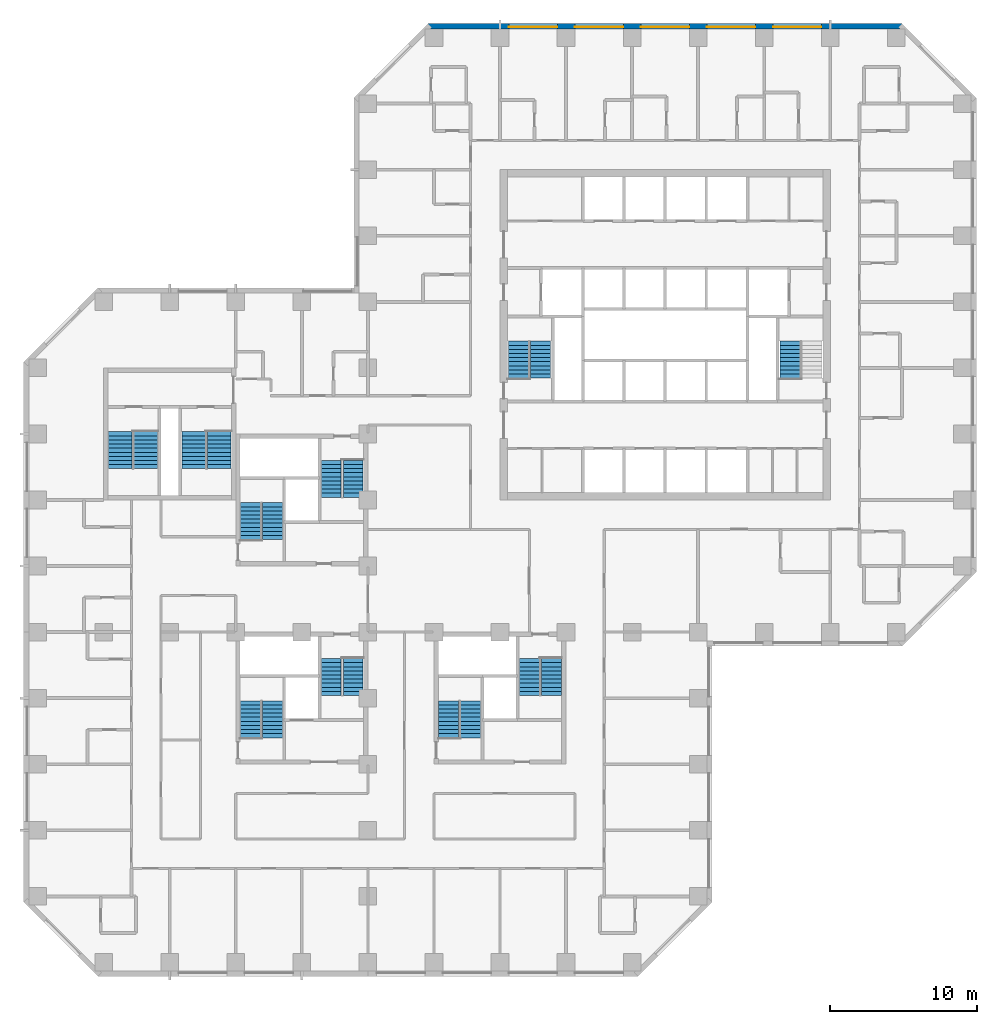
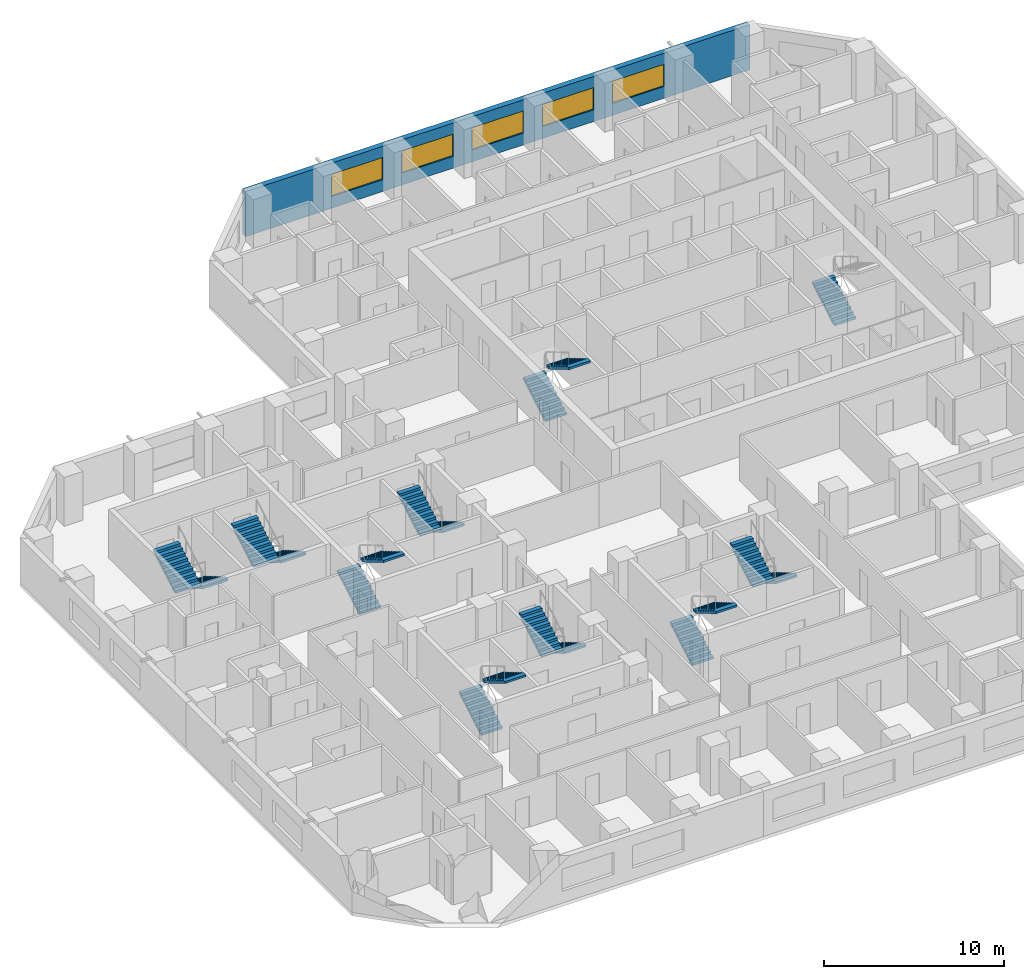
# One storey, part 11 of 13: 19 stair flights, 5 windows, 1 wall, 5 openings, 10 elements without a shape of their own.
"""IFC4 building model written with IfcOpenShell, lengths in metres."""

from ifc_helpers import new_model, si_unit, direction, frame, frame_2d, origin, place, context, subcontext, project, spatial, polyline, rectangle, outline, extrude, material, layer, layer_set, constituent, constituent_set, type_object, element, fill, aggregate, save


model = new_model("IFC4")

# Units and contexts
model_context = context("Model", 3, precision=1e-05, world=origin(), true_north=direction((0.0, 1.0)))
body_context = subcontext(model_context, "Body", "Model", "MODEL_VIEW")
ifc_project = project(units=[si_unit("LENGTHUNIT", "METRE"), si_unit("AREAUNIT", "SQUARE_METRE"), si_unit("VOLUMEUNIT", "CUBIC_METRE"), si_unit("PLANEANGLEUNIT", "RADIAN"), si_unit("MASSUNIT", "GRAM", prefix="KILO")], contexts=[model_context])

# Site, building, storey
site_placement = place(None, origin())
site = spatial("IfcSite", under=ifc_project, at=site_placement, CompositionType="ELEMENT")
building_placement = place(site_placement, origin())
building = spatial("IfcBuilding", under=site, at=building_placement, Name="Quoin Convention Tower", CompositionType="ELEMENT")
storey_placement = place(building_placement, frame((0.0, 0.0, 23.10009765625)))
storey = spatial("IfcBuildingStorey", under=building, at=storey_placement, Name="L04", CompositionType="ELEMENT", Elevation=23.10009765625)

# Wall, openings, windows
ifc_material_1 = material(Name="Brick masonry", Category="masonry")
ifc_layer = layer(ifc_material_1, 0.35009765625)
ifc_layer_set = layer_set([ifc_layer], Name="Brick masonry")
wall_type = type_object("IfcWallType", Name="Brick facade wall", PredefinedType="STANDARD", material=ifc_layer_set)
wall_placement = place(storey_placement, frame((72.3935546875, 81.77490234375, 0.0), z_axis=(0.0, 0.0, 1.0), x_axis=(-1.0, 0.0, 0.0)))
wall = element("IfcWall", 1, at=wall_placement, inside=storey, type_object=wall_type, Name="fw-L04-72000_81000", PredefinedType="STANDARD", context=body_context, shape_type="SweptSolid", body=[
    extrude(rectangle(XDim=32.287109375, YDim=0.35009765625, at=frame_2d((16.1435546875, 0.0))), origin(), (0.0, 0.0, 1.0), 3.054931640625),
])
opening_1_placement = place(wall_placement, frame((5.493408203125, 0.0, 0.800048828125)))
opening_1 = element("IfcOpeningElement", 2, at=opening_1_placement, cuts=wall, Name="Opening W-01", PredefinedType="OPENING", context=body_context, shape_type="SweptSolid", body=[
    extrude(rectangle(XDim=3.300048828125, YDim=1.5, at=frame_2d((1.64990234375, 0.75))), frame((0.0, 0.18505859375, 0.0), z_axis=(0.0, -1.0, 0.0), x_axis=(1.0, 0.0, 0.0)), (0.0, 0.0, 1.0), 0.3701171875),
])
opening_2_placement = place(wall_placement, frame((9.993408203125, 0.0, 0.800048828125)))
opening_2 = element("IfcOpeningElement", 3, at=opening_2_placement, cuts=wall, Name="Opening W-01", PredefinedType="OPENING", context=body_context, shape_type="SweptSolid", body=[
    extrude(rectangle(XDim=3.300048828125, YDim=1.5, at=frame_2d((1.64990234375, 0.75))), frame((0.0, 0.18505859375, 0.0), z_axis=(0.0, -1.0, 0.0), x_axis=(1.0, 0.0, 0.0)), (0.0, 0.0, 1.0), 0.3701171875),
])
opening_3_placement = place(wall_placement, frame((14.493408203125, 0.0, 0.800048828125)))
opening_3 = element("IfcOpeningElement", 4, at=opening_3_placement, cuts=wall, Name="Opening W-01", PredefinedType="OPENING", context=body_context, shape_type="SweptSolid", body=[
    extrude(rectangle(XDim=3.300048828125, YDim=1.5, at=frame_2d((1.64990234375, 0.75))), frame((0.0, 0.18505859375, 0.0), z_axis=(0.0, -1.0, 0.0), x_axis=(1.0, 0.0, 0.0)), (0.0, 0.0, 1.0), 0.3701171875),
])
opening_4_placement = place(wall_placement, frame((18.993408203125, 0.0, 0.800048828125)))
opening_4 = element("IfcOpeningElement", 5, at=opening_4_placement, cuts=wall, Name="Opening W-01", PredefinedType="OPENING", context=body_context, shape_type="SweptSolid", body=[
    extrude(rectangle(XDim=3.300048828125, YDim=1.5, at=frame_2d((1.64990234375, 0.75))), frame((0.0, 0.18505859375, 0.0), z_axis=(0.0, -1.0, 0.0), x_axis=(1.0, 0.0, 0.0)), (0.0, 0.0, 1.0), 0.3701171875),
])
opening_5_placement = place(wall_placement, frame((23.493408203125, 0.0, 0.800048828125)))
opening_5 = element("IfcOpeningElement", 6, at=opening_5_placement, cuts=wall, Name="Opening W-01", PredefinedType="OPENING", context=body_context, shape_type="SweptSolid", body=[
    extrude(rectangle(XDim=3.300048828125, YDim=1.5, at=frame_2d((1.64990234375, 0.75))), frame((0.0, 0.18505859375, 0.0), z_axis=(0.0, -1.0, 0.0), x_axis=(1.0, 0.0, 0.0)), (0.0, 0.0, 1.0), 0.3701171875),
])
ifc_material_2 = material(Name="Aluminium", Category="aluminium")
ifc_constituent_1 = constituent(ifc_material_2, Name="Frame")
ifc_material_3 = material(Name="Insulated glass", Category="glass")
ifc_constituent_2 = constituent(ifc_material_3, Name="Glazing")
ifc_constituent_set = constituent_set(constituents=[ifc_constituent_1, ifc_constituent_2], Name="Aluminium")
window_type = type_object("IfcWindowType", Name="Hotel strip window", PartitioningType="DOUBLE_PANEL_VERTICAL", PredefinedType="WINDOW", material=ifc_constituent_set)
window_1_placement = place(opening_1_placement, origin())
window_1 = element("IfcWindow", 7, at=window_1_placement, inside=storey, type_object=window_type, Name="win-L04-65250_81775", OverallHeight=1.5, OverallWidth=3.300048828125, PartitioningType="SINGLE_PANEL", PredefinedType="WINDOW", context=body_context, shape_type="SweptSolid", body=[
    extrude(rectangle(XDim=3.300048828125, YDim=1.5, at=frame_2d((1.64990234375, 0.75))), frame((0.0, 0.0849609375, 0.0), z_axis=(0.0, -1.0, 0.0), x_axis=(1.0, 0.0, 0.0)), (0.0, 0.0, 1.0), 0.06005859375),
])
fill(opening_1, window_1)
window_2_placement = place(opening_2_placement, origin())
window_2 = element("IfcWindow", 8, at=window_2_placement, inside=storey, type_object=window_type, Name="win-L04-60750_81775", OverallHeight=1.5, OverallWidth=3.300048828125, PartitioningType="SINGLE_PANEL", PredefinedType="WINDOW", context=body_context, shape_type="SweptSolid", body=[
    extrude(rectangle(XDim=3.300048828125, YDim=1.5, at=frame_2d((1.64990234375, 0.75))), frame((0.0, 0.0849609375, 0.0), z_axis=(0.0, -1.0, 0.0), x_axis=(1.0, 0.0, 0.0)), (0.0, 0.0, 1.0), 0.06005859375),
])
fill(opening_2, window_2)
window_3_placement = place(opening_3_placement, origin())
window_3 = element("IfcWindow", 9, at=window_3_placement, inside=storey, type_object=window_type, Name="win-L04-56250_81775", OverallHeight=1.5, OverallWidth=3.300048828125, PartitioningType="SINGLE_PANEL", PredefinedType="WINDOW", context=body_context, shape_type="SweptSolid", body=[
    extrude(rectangle(XDim=3.300048828125, YDim=1.5, at=frame_2d((1.64990234375, 0.75))), frame((0.0, 0.0849609375, 0.0), z_axis=(0.0, -1.0, 0.0), x_axis=(1.0, 0.0, 0.0)), (0.0, 0.0, 1.0), 0.06005859375),
])
fill(opening_3, window_3)
window_4_placement = place(opening_4_placement, origin())
window_4 = element("IfcWindow", 10, at=window_4_placement, inside=storey, type_object=window_type, Name="win-L04-51750_81775", OverallHeight=1.5, OverallWidth=3.300048828125, PartitioningType="SINGLE_PANEL", PredefinedType="WINDOW", context=body_context, shape_type="SweptSolid", body=[
    extrude(rectangle(XDim=3.300048828125, YDim=1.5, at=frame_2d((1.64990234375, 0.75))), frame((0.0, 0.0849609375, 0.0), z_axis=(0.0, -1.0, 0.0), x_axis=(1.0, 0.0, 0.0)), (0.0, 0.0, 1.0), 0.06005859375),
])
fill(opening_4, window_4)
window_5_placement = place(opening_5_placement, origin())
window_5 = element("IfcWindow", 11, at=window_5_placement, inside=storey, type_object=window_type, Name="win-L04-47250_81775", OverallHeight=1.5, OverallWidth=3.300048828125, PartitioningType="SINGLE_PANEL", PredefinedType="WINDOW", context=body_context, shape_type="SweptSolid", body=[
    extrude(rectangle(XDim=3.300048828125, YDim=1.5, at=frame_2d((1.64990234375, 0.75))), frame((0.0, 0.0849609375, 0.0), z_axis=(0.0, -1.0, 0.0), x_axis=(1.0, 0.0, 0.0)), (0.0, 0.0, 1.0), 0.06005859375),
])
fill(opening_5, window_5)

# Stair, stair flights
ifc_material_4 = material(Name="Concrete C40", Category="concrete")
stair_type_1 = type_object("IfcStairType", Name="Exit stair two-flight 1350", PredefinedType="HALF_TURN_STAIR", material=ifc_material_4)
stair_1_placement = place(storey_placement, origin())
stair_1 = element("IfcStair", 12, at=stair_1_placement, inside=storey, type_object=stair_type_1, Name="SD1 L04", PredefinedType="HALF_TURN_STAIR")
stair_flight_type_1 = type_object("IfcStairFlightType", Name="Stair flight 1350", PredefinedType="STRAIGHT", material=ifc_material_4)
stair_flight_1_placement = place(storey_placement, frame((46.25, 57.800048828125, 0.0), z_axis=(0.0, 0.0, 1.0), x_axis=(0.0, 1.0, 0.0)))
stair_flight_1 = element("IfcStairFlight", 13, at=stair_flight_1_placement, type_object=stair_flight_type_1, Name="ST1 flight 1", NumberOfRisers=10, NumberOfTreads=9, PredefinedType="STRAIGHT", RiserHeight=0.165, TreadLength=0.28, context=body_context, shape_type="SweptSolid", body=[
    extrude(outline(polyline([(0.0, 0.0), (0.0, 0.1650390625), (0.280029296875, 0.1650390625), (0.280029296875, 0.330078125), (0.56005859375, 0.330078125), (0.56005859375, 0.4951171875), (0.840087890625, 0.4951171875), (0.840087890625, 0.659912109375), (1.1201171875, 0.659912109375), (1.1201171875, 0.824951171875), (1.39990234375, 0.824951171875), (1.39990234375, 0.989990234375), (1.679931640625, 0.989990234375), (1.679931640625, 1.155029296875), (1.9599609375, 1.155029296875), (1.9599609375, 1.320068359375), (2.239990234375, 1.320068359375), (2.239990234375, 1.485107421875), (2.52001953125, 1.485107421875), (2.52001953125, 1.64990234375), (2.52001953125, 1.345458984375), (0.236572265625, 0.0), (0.0, 0.0)])), frame((0.0, 0.675048828125, 0.0), z_axis=(0.0, -1.0, 0.0), x_axis=(1.0, 0.0, 0.0)), (0.0, 0.0, 1.0), 1.35009765625),
])
stair_flight_2_placement = place(storey_placement, frame((47.75, 60.320068359375, 1.64990234375), z_axis=(0.0, 0.0, 1.0), x_axis=(0.0, -1.0, 0.0)))
stair_flight_2 = element("IfcStairFlight", 14, at=stair_flight_2_placement, type_object=stair_flight_type_1, Name="ST1 flight 2", NumberOfRisers=10, NumberOfTreads=9, PredefinedType="STRAIGHT", RiserHeight=0.165, TreadLength=0.28, context=body_context, shape_type="SweptSolid", body=[
    extrude(outline(polyline([(0.0, 0.0), (0.0, 0.1650390625), (0.280029296875, 0.1650390625), (0.280029296875, 0.330078125), (0.56005859375, 0.330078125), (0.56005859375, 0.4951171875), (0.840087890625, 0.4951171875), (0.840087890625, 0.659912109375), (1.1201171875, 0.659912109375), (1.1201171875, 0.824951171875), (1.39990234375, 0.824951171875), (1.39990234375, 0.989990234375), (1.679931640625, 0.989990234375), (1.679931640625, 1.155029296875), (1.9599609375, 1.155029296875), (1.9599609375, 1.320068359375), (2.239990234375, 1.320068359375), (2.239990234375, 1.485107421875), (2.52001953125, 1.485107421875), (2.52001953125, 1.64990234375), (2.52001953125, 1.345458984375), (0.236572265625, 0.0), (0.0, 0.0)])), frame((0.0, 0.675048828125, 0.0), z_axis=(0.0, -1.0, 0.0), x_axis=(1.0, 0.0, 0.0)), (0.0, 0.0, 1.0), 1.35009765625),
])
aggregate(stair_1, [stair_flight_1, stair_flight_2])

# Stair, stair flight
stair_2_placement = place(storey_placement, origin())
stair_2 = element("IfcStair", 15, at=stair_2_placement, inside=storey, type_object=stair_type_1, Name="SD2 L04", PredefinedType="HALF_TURN_STAIR")
stair_flight_3_placement = place(storey_placement, frame((64.75, 57.800048828125, 0.0), z_axis=(0.0, 0.0, 1.0), x_axis=(0.0, 1.0, 0.0)))
stair_flight_3 = element("IfcStairFlight", 16, at=stair_flight_3_placement, type_object=stair_flight_type_1, Name="ST2 flight 1", NumberOfRisers=10, NumberOfTreads=9, PredefinedType="STRAIGHT", RiserHeight=0.165, TreadLength=0.28, context=body_context, shape_type="SweptSolid", body=[
    extrude(outline(polyline([(0.0, 0.0), (0.0, 0.1650390625), (0.280029296875, 0.1650390625), (0.280029296875, 0.330078125), (0.56005859375, 0.330078125), (0.56005859375, 0.4951171875), (0.840087890625, 0.4951171875), (0.840087890625, 0.659912109375), (1.1201171875, 0.659912109375), (1.1201171875, 0.824951171875), (1.39990234375, 0.824951171875), (1.39990234375, 0.989990234375), (1.679931640625, 0.989990234375), (1.679931640625, 1.155029296875), (1.9599609375, 1.155029296875), (1.9599609375, 1.320068359375), (2.239990234375, 1.320068359375), (2.239990234375, 1.485107421875), (2.52001953125, 1.485107421875), (2.52001953125, 1.64990234375), (2.52001953125, 1.345458984375), (0.236572265625, 0.0), (0.0, 0.0)])), frame((0.0, 0.675048828125, 0.0), z_axis=(0.0, -1.0, 0.0), x_axis=(1.0, 0.0, 0.0)), (0.0, 0.0, 1.0), 1.35009765625),
])
aggregate(stair_2, [stair_flight_3])

# Stair, stair flights
stair_3_placement = place(storey_placement, origin())
stair_3 = element("IfcStair", 17, at=stair_3_placement, inside=storey, type_object=stair_type_1, Name="SD3 L04", PredefinedType="HALF_TURN_STAIR")
stair_flight_4_placement = place(storey_placement, frame((28.0, 46.800048828125, 0.0), z_axis=(0.0, 0.0, 1.0), x_axis=(0.0, 1.0, 0.0)))
stair_flight_4 = element("IfcStairFlight", 18, at=stair_flight_4_placement, type_object=stair_flight_type_1, Name="ST3 flight 1", NumberOfRisers=10, NumberOfTreads=9, PredefinedType="STRAIGHT", RiserHeight=0.165, TreadLength=0.28, context=body_context, shape_type="SweptSolid", body=[
    extrude(outline(polyline([(0.0, 0.0), (0.0, 0.1650390625), (0.280029296875, 0.1650390625), (0.280029296875, 0.330078125), (0.56005859375, 0.330078125), (0.56005859375, 0.4951171875), (0.840087890625, 0.4951171875), (0.840087890625, 0.659912109375), (1.1201171875, 0.659912109375), (1.1201171875, 0.824951171875), (1.39990234375, 0.824951171875), (1.39990234375, 0.989990234375), (1.679931640625, 0.989990234375), (1.679931640625, 1.155029296875), (1.9599609375, 1.155029296875), (1.9599609375, 1.320068359375), (2.239990234375, 1.320068359375), (2.239990234375, 1.485107421875), (2.52001953125, 1.485107421875), (2.52001953125, 1.64990234375), (2.52001953125, 1.345458984375), (0.236572265625, 0.0), (0.0, 0.0)])), frame((0.0, 0.675048828125, 0.0), z_axis=(0.0, -1.0, 0.0), x_axis=(1.0, 0.0, 0.0)), (0.0, 0.0, 1.0), 1.35009765625),
])
stair_flight_5_placement = place(storey_placement, frame((29.5, 49.320068359375, 1.64990234375), z_axis=(0.0, 0.0, 1.0), x_axis=(0.0, -1.0, 0.0)))
stair_flight_5 = element("IfcStairFlight", 19, at=stair_flight_5_placement, type_object=stair_flight_type_1, Name="ST3 flight 2", NumberOfRisers=10, NumberOfTreads=9, PredefinedType="STRAIGHT", RiserHeight=0.165, TreadLength=0.28, context=body_context, shape_type="SweptSolid", body=[
    extrude(outline(polyline([(0.0, 0.0), (0.0, 0.1650390625), (0.280029296875, 0.1650390625), (0.280029296875, 0.330078125), (0.56005859375, 0.330078125), (0.56005859375, 0.4951171875), (0.840087890625, 0.4951171875), (0.840087890625, 0.659912109375), (1.1201171875, 0.659912109375), (1.1201171875, 0.824951171875), (1.39990234375, 0.824951171875), (1.39990234375, 0.989990234375), (1.679931640625, 0.989990234375), (1.679931640625, 1.155029296875), (1.9599609375, 1.155029296875), (1.9599609375, 1.320068359375), (2.239990234375, 1.320068359375), (2.239990234375, 1.485107421875), (2.52001953125, 1.485107421875), (2.52001953125, 1.64990234375), (2.52001953125, 1.345458984375), (0.236572265625, 0.0), (0.0, 0.0)])), frame((0.0, 0.675048828125, 0.0), z_axis=(0.0, -1.0, 0.0), x_axis=(1.0, 0.0, 0.0)), (0.0, 0.0, 1.0), 1.35009765625),
])
aggregate(stair_3, [stair_flight_4, stair_flight_5])

stair_4_placement = place(storey_placement, origin())
stair_4 = element("IfcStair", 20, at=stair_4_placement, inside=storey, type_object=stair_type_1, Name="SD4 L04", PredefinedType="HALF_TURN_STAIR")
stair_flight_6_placement = place(storey_placement, frame((35.0, 52.199951171875, 0.0), z_axis=(0.0, 0.0, 1.0), x_axis=(0.0, -1.0, 0.0)))
stair_flight_6 = element("IfcStairFlight", 21, at=stair_flight_6_placement, type_object=stair_flight_type_1, Name="ST4 flight 1", NumberOfRisers=10, NumberOfTreads=9, PredefinedType="STRAIGHT", RiserHeight=0.165, TreadLength=0.28, context=body_context, shape_type="SweptSolid", body=[
    extrude(outline(polyline([(0.0, 0.0), (0.0, 0.1650390625), (0.280029296875, 0.1650390625), (0.280029296875, 0.330078125), (0.56005859375, 0.330078125), (0.56005859375, 0.4951171875), (0.840087890625, 0.4951171875), (0.840087890625, 0.659912109375), (1.1201171875, 0.659912109375), (1.1201171875, 0.824951171875), (1.39990234375, 0.824951171875), (1.39990234375, 0.989990234375), (1.679931640625, 0.989990234375), (1.679931640625, 1.155029296875), (1.9599609375, 1.155029296875), (1.9599609375, 1.320068359375), (2.239990234375, 1.320068359375), (2.239990234375, 1.485107421875), (2.52001953125, 1.485107421875), (2.52001953125, 1.64990234375), (2.52001953125, 1.345458984375), (0.236572265625, 0.0), (0.0, 0.0)])), frame((0.0, 0.675048828125, 0.0), z_axis=(0.0, -1.0, 0.0), x_axis=(1.0, 0.0, 0.0)), (0.0, 0.0, 1.0), 1.35009765625),
])
stair_flight_7_placement = place(storey_placement, frame((33.5, 49.679931640625, 1.64990234375), z_axis=(0.0, 0.0, 1.0), x_axis=(0.0, 1.0, 0.0)))
stair_flight_7 = element("IfcStairFlight", 22, at=stair_flight_7_placement, type_object=stair_flight_type_1, Name="ST4 flight 2", NumberOfRisers=10, NumberOfTreads=9, PredefinedType="STRAIGHT", RiserHeight=0.165, TreadLength=0.28, context=body_context, shape_type="SweptSolid", body=[
    extrude(outline(polyline([(0.0, 0.0), (0.0, 0.1650390625), (0.280029296875, 0.1650390625), (0.280029296875, 0.330078125), (0.56005859375, 0.330078125), (0.56005859375, 0.4951171875), (0.840087890625, 0.4951171875), (0.840087890625, 0.659912109375), (1.1201171875, 0.659912109375), (1.1201171875, 0.824951171875), (1.39990234375, 0.824951171875), (1.39990234375, 0.989990234375), (1.679931640625, 0.989990234375), (1.679931640625, 1.155029296875), (1.9599609375, 1.155029296875), (1.9599609375, 1.320068359375), (2.239990234375, 1.320068359375), (2.239990234375, 1.485107421875), (2.52001953125, 1.485107421875), (2.52001953125, 1.64990234375), (2.52001953125, 1.345458984375), (0.236572265625, 0.0), (0.0, 0.0)])), frame((0.0, 0.675048828125, 0.0), z_axis=(0.0, -1.0, 0.0), x_axis=(1.0, 0.0, 0.0)), (0.0, 0.0, 1.0), 1.35009765625),
])
aggregate(stair_4, [stair_flight_6, stair_flight_7])

stair_5_placement = place(storey_placement, origin())
stair_5 = element("IfcStair", 23, at=stair_5_placement, inside=storey, type_object=stair_type_1, Name="SD5 L04", PredefinedType="HALF_TURN_STAIR")
stair_flight_8_placement = place(storey_placement, frame((41.5, 33.300048828125, 0.0), z_axis=(0.0, 0.0, 1.0), x_axis=(0.0, 1.0, 0.0)))
stair_flight_8 = element("IfcStairFlight", 24, at=stair_flight_8_placement, type_object=stair_flight_type_1, Name="ST5 flight 1", NumberOfRisers=10, NumberOfTreads=9, PredefinedType="STRAIGHT", RiserHeight=0.165, TreadLength=0.28, context=body_context, shape_type="SweptSolid", body=[
    extrude(outline(polyline([(0.0, 0.0), (0.0, 0.1650390625), (0.280029296875, 0.1650390625), (0.280029296875, 0.330078125), (0.56005859375, 0.330078125), (0.56005859375, 0.4951171875), (0.840087890625, 0.4951171875), (0.840087890625, 0.659912109375), (1.1201171875, 0.659912109375), (1.1201171875, 0.824951171875), (1.39990234375, 0.824951171875), (1.39990234375, 0.989990234375), (1.679931640625, 0.989990234375), (1.679931640625, 1.155029296875), (1.9599609375, 1.155029296875), (1.9599609375, 1.320068359375), (2.239990234375, 1.320068359375), (2.239990234375, 1.485107421875), (2.52001953125, 1.485107421875), (2.52001953125, 1.64990234375), (2.52001953125, 1.345458984375), (0.236572265625, 0.0), (0.0, 0.0)])), frame((0.0, 0.675048828125, 0.0), z_axis=(0.0, -1.0, 0.0), x_axis=(1.0, 0.0, 0.0)), (0.0, 0.0, 1.0), 1.35009765625),
])
stair_flight_9_placement = place(storey_placement, frame((43.0, 35.820068359375, 1.64990234375), z_axis=(0.0, 0.0, 1.0), x_axis=(0.0, -1.0, 0.0)))
stair_flight_9 = element("IfcStairFlight", 25, at=stair_flight_9_placement, type_object=stair_flight_type_1, Name="ST5 flight 2", NumberOfRisers=10, NumberOfTreads=9, PredefinedType="STRAIGHT", RiserHeight=0.165, TreadLength=0.28, context=body_context, shape_type="SweptSolid", body=[
    extrude(outline(polyline([(0.0, 0.0), (0.0, 0.1650390625), (0.280029296875, 0.1650390625), (0.280029296875, 0.330078125), (0.56005859375, 0.330078125), (0.56005859375, 0.4951171875), (0.840087890625, 0.4951171875), (0.840087890625, 0.659912109375), (1.1201171875, 0.659912109375), (1.1201171875, 0.824951171875), (1.39990234375, 0.824951171875), (1.39990234375, 0.989990234375), (1.679931640625, 0.989990234375), (1.679931640625, 1.155029296875), (1.9599609375, 1.155029296875), (1.9599609375, 1.320068359375), (2.239990234375, 1.320068359375), (2.239990234375, 1.485107421875), (2.52001953125, 1.485107421875), (2.52001953125, 1.64990234375), (2.52001953125, 1.345458984375), (0.236572265625, 0.0), (0.0, 0.0)])), frame((0.0, 0.675048828125, 0.0), z_axis=(0.0, -1.0, 0.0), x_axis=(1.0, 0.0, 0.0)), (0.0, 0.0, 1.0), 1.35009765625),
])
aggregate(stair_5, [stair_flight_8, stair_flight_9])

stair_6_placement = place(storey_placement, origin())
stair_6 = element("IfcStair", 26, at=stair_6_placement, inside=storey, type_object=stair_type_1, Name="SD6 L04", PredefinedType="HALF_TURN_STAIR")
stair_flight_10_placement = place(storey_placement, frame((48.5, 38.699951171875, 0.0), z_axis=(0.0, 0.0, 1.0), x_axis=(0.0, -1.0, 0.0)))
stair_flight_10 = element("IfcStairFlight", 27, at=stair_flight_10_placement, type_object=stair_flight_type_1, Name="ST6 flight 1", NumberOfRisers=10, NumberOfTreads=9, PredefinedType="STRAIGHT", RiserHeight=0.165, TreadLength=0.28, context=body_context, shape_type="SweptSolid", body=[
    extrude(outline(polyline([(0.0, 0.0), (0.0, 0.1650390625), (0.280029296875, 0.1650390625), (0.280029296875, 0.330078125), (0.56005859375, 0.330078125), (0.56005859375, 0.4951171875), (0.840087890625, 0.4951171875), (0.840087890625, 0.659912109375), (1.1201171875, 0.659912109375), (1.1201171875, 0.824951171875), (1.39990234375, 0.824951171875), (1.39990234375, 0.989990234375), (1.679931640625, 0.989990234375), (1.679931640625, 1.155029296875), (1.9599609375, 1.155029296875), (1.9599609375, 1.320068359375), (2.239990234375, 1.320068359375), (2.239990234375, 1.485107421875), (2.52001953125, 1.485107421875), (2.52001953125, 1.64990234375), (2.52001953125, 1.345458984375), (0.236572265625, 0.0), (0.0, 0.0)])), frame((0.0, 0.675048828125, 0.0), z_axis=(0.0, -1.0, 0.0), x_axis=(1.0, 0.0, 0.0)), (0.0, 0.0, 1.0), 1.35009765625),
])
stair_flight_11_placement = place(storey_placement, frame((47.0, 36.179931640625, 1.64990234375), z_axis=(0.0, 0.0, 1.0), x_axis=(0.0, 1.0, 0.0)))
stair_flight_11 = element("IfcStairFlight", 28, at=stair_flight_11_placement, type_object=stair_flight_type_1, Name="ST6 flight 2", NumberOfRisers=10, NumberOfTreads=9, PredefinedType="STRAIGHT", RiserHeight=0.165, TreadLength=0.28, context=body_context, shape_type="SweptSolid", body=[
    extrude(outline(polyline([(0.0, 0.0), (0.0, 0.1650390625), (0.280029296875, 0.1650390625), (0.280029296875, 0.330078125), (0.56005859375, 0.330078125), (0.56005859375, 0.4951171875), (0.840087890625, 0.4951171875), (0.840087890625, 0.659912109375), (1.1201171875, 0.659912109375), (1.1201171875, 0.824951171875), (1.39990234375, 0.824951171875), (1.39990234375, 0.989990234375), (1.679931640625, 0.989990234375), (1.679931640625, 1.155029296875), (1.9599609375, 1.155029296875), (1.9599609375, 1.320068359375), (2.239990234375, 1.320068359375), (2.239990234375, 1.485107421875), (2.52001953125, 1.485107421875), (2.52001953125, 1.64990234375), (2.52001953125, 1.345458984375), (0.236572265625, 0.0), (0.0, 0.0)])), frame((0.0, 0.675048828125, 0.0), z_axis=(0.0, -1.0, 0.0), x_axis=(1.0, 0.0, 0.0)), (0.0, 0.0, 1.0), 1.35009765625),
])
aggregate(stair_6, [stair_flight_10, stair_flight_11])

stair_7_placement = place(storey_placement, origin())
stair_7 = element("IfcStair", 29, at=stair_7_placement, inside=storey, type_object=stair_type_1, Name="SD7 L04", PredefinedType="HALF_TURN_STAIR")
stair_flight_12_placement = place(storey_placement, frame((28.0, 33.300048828125, 0.0), z_axis=(0.0, 0.0, 1.0), x_axis=(0.0, 1.0, 0.0)))
stair_flight_12 = element("IfcStairFlight", 30, at=stair_flight_12_placement, type_object=stair_flight_type_1, Name="ST7 flight 1", NumberOfRisers=10, NumberOfTreads=9, PredefinedType="STRAIGHT", RiserHeight=0.165, TreadLength=0.28, context=body_context, shape_type="SweptSolid", body=[
    extrude(outline(polyline([(0.0, 0.0), (0.0, 0.1650390625), (0.280029296875, 0.1650390625), (0.280029296875, 0.330078125), (0.56005859375, 0.330078125), (0.56005859375, 0.4951171875), (0.840087890625, 0.4951171875), (0.840087890625, 0.659912109375), (1.1201171875, 0.659912109375), (1.1201171875, 0.824951171875), (1.39990234375, 0.824951171875), (1.39990234375, 0.989990234375), (1.679931640625, 0.989990234375), (1.679931640625, 1.155029296875), (1.9599609375, 1.155029296875), (1.9599609375, 1.320068359375), (2.239990234375, 1.320068359375), (2.239990234375, 1.485107421875), (2.52001953125, 1.485107421875), (2.52001953125, 1.64990234375), (2.52001953125, 1.345458984375), (0.236572265625, 0.0), (0.0, 0.0)])), frame((0.0, 0.675048828125, 0.0), z_axis=(0.0, -1.0, 0.0), x_axis=(1.0, 0.0, 0.0)), (0.0, 0.0, 1.0), 1.35009765625),
])
stair_flight_13_placement = place(storey_placement, frame((29.5, 35.820068359375, 1.64990234375), z_axis=(0.0, 0.0, 1.0), x_axis=(0.0, -1.0, 0.0)))
stair_flight_13 = element("IfcStairFlight", 31, at=stair_flight_13_placement, type_object=stair_flight_type_1, Name="ST7 flight 2", NumberOfRisers=10, NumberOfTreads=9, PredefinedType="STRAIGHT", RiserHeight=0.165, TreadLength=0.28, context=body_context, shape_type="SweptSolid", body=[
    extrude(outline(polyline([(0.0, 0.0), (0.0, 0.1650390625), (0.280029296875, 0.1650390625), (0.280029296875, 0.330078125), (0.56005859375, 0.330078125), (0.56005859375, 0.4951171875), (0.840087890625, 0.4951171875), (0.840087890625, 0.659912109375), (1.1201171875, 0.659912109375), (1.1201171875, 0.824951171875), (1.39990234375, 0.824951171875), (1.39990234375, 0.989990234375), (1.679931640625, 0.989990234375), (1.679931640625, 1.155029296875), (1.9599609375, 1.155029296875), (1.9599609375, 1.320068359375), (2.239990234375, 1.320068359375), (2.239990234375, 1.485107421875), (2.52001953125, 1.485107421875), (2.52001953125, 1.64990234375), (2.52001953125, 1.345458984375), (0.236572265625, 0.0), (0.0, 0.0)])), frame((0.0, 0.675048828125, 0.0), z_axis=(0.0, -1.0, 0.0), x_axis=(1.0, 0.0, 0.0)), (0.0, 0.0, 1.0), 1.35009765625),
])
aggregate(stair_7, [stair_flight_12, stair_flight_13])

stair_8_placement = place(storey_placement, origin())
stair_8 = element("IfcStair", 32, at=stair_8_placement, inside=storey, type_object=stair_type_1, Name="SD8 L04", PredefinedType="HALF_TURN_STAIR")
stair_flight_14_placement = place(storey_placement, frame((35.0, 38.699951171875, 0.0), z_axis=(0.0, 0.0, 1.0), x_axis=(0.0, -1.0, 0.0)))
stair_flight_14 = element("IfcStairFlight", 33, at=stair_flight_14_placement, type_object=stair_flight_type_1, Name="ST8 flight 1", NumberOfRisers=10, NumberOfTreads=9, PredefinedType="STRAIGHT", RiserHeight=0.165, TreadLength=0.28, context=body_context, shape_type="SweptSolid", body=[
    extrude(outline(polyline([(0.0, 0.0), (0.0, 0.1650390625), (0.280029296875, 0.1650390625), (0.280029296875, 0.330078125), (0.56005859375, 0.330078125), (0.56005859375, 0.4951171875), (0.840087890625, 0.4951171875), (0.840087890625, 0.659912109375), (1.1201171875, 0.659912109375), (1.1201171875, 0.824951171875), (1.39990234375, 0.824951171875), (1.39990234375, 0.989990234375), (1.679931640625, 0.989990234375), (1.679931640625, 1.155029296875), (1.9599609375, 1.155029296875), (1.9599609375, 1.320068359375), (2.239990234375, 1.320068359375), (2.239990234375, 1.485107421875), (2.52001953125, 1.485107421875), (2.52001953125, 1.64990234375), (2.52001953125, 1.345458984375), (0.236572265625, 0.0), (0.0, 0.0)])), frame((0.0, 0.675048828125, 0.0), z_axis=(0.0, -1.0, 0.0), x_axis=(1.0, 0.0, 0.0)), (0.0, 0.0, 1.0), 1.35009765625),
])
stair_flight_15_placement = place(storey_placement, frame((33.5, 36.179931640625, 1.64990234375), z_axis=(0.0, 0.0, 1.0), x_axis=(0.0, 1.0, 0.0)))
stair_flight_15 = element("IfcStairFlight", 34, at=stair_flight_15_placement, type_object=stair_flight_type_1, Name="ST8 flight 2", NumberOfRisers=10, NumberOfTreads=9, PredefinedType="STRAIGHT", RiserHeight=0.165, TreadLength=0.28, context=body_context, shape_type="SweptSolid", body=[
    extrude(outline(polyline([(0.0, 0.0), (0.0, 0.1650390625), (0.280029296875, 0.1650390625), (0.280029296875, 0.330078125), (0.56005859375, 0.330078125), (0.56005859375, 0.4951171875), (0.840087890625, 0.4951171875), (0.840087890625, 0.659912109375), (1.1201171875, 0.659912109375), (1.1201171875, 0.824951171875), (1.39990234375, 0.824951171875), (1.39990234375, 0.989990234375), (1.679931640625, 0.989990234375), (1.679931640625, 1.155029296875), (1.9599609375, 1.155029296875), (1.9599609375, 1.320068359375), (2.239990234375, 1.320068359375), (2.239990234375, 1.485107421875), (2.52001953125, 1.485107421875), (2.52001953125, 1.64990234375), (2.52001953125, 1.345458984375), (0.236572265625, 0.0), (0.0, 0.0)])), frame((0.0, 0.675048828125, 0.0), z_axis=(0.0, -1.0, 0.0), x_axis=(1.0, 0.0, 0.0)), (0.0, 0.0, 1.0), 1.35009765625),
])
aggregate(stair_8, [stair_flight_14, stair_flight_15])

stair_type_2 = type_object("IfcStairType", Name="Exit stair two-flight 1600", PredefinedType="HALF_TURN_STAIR", material=ifc_material_4)
stair_9_placement = place(storey_placement, origin())
stair_9 = element("IfcStair", 35, at=stair_9_placement, inside=storey, type_object=stair_type_2, Name="SD11 L04", PredefinedType="HALF_TURN_STAIR")
stair_flight_type_2 = type_object("IfcStairFlightType", Name="Stair flight 1600", PredefinedType="STRAIGHT", material=ifc_material_4)
stair_flight_16_placement = place(storey_placement, frame((20.875, 54.14990234375, 0.0), z_axis=(0.0, 0.0, 1.0), x_axis=(0.0, -1.0, 0.0)))
stair_flight_16 = element("IfcStairFlight", 36, at=stair_flight_16_placement, type_object=stair_flight_type_2, Name="ST11 flight 1", NumberOfRisers=10, NumberOfTreads=9, PredefinedType="STRAIGHT", RiserHeight=0.165, TreadLength=0.28, context=body_context, shape_type="SweptSolid", body=[
    extrude(outline(polyline([(0.0, 0.0), (0.0, 0.1650390625), (0.280029296875, 0.1650390625), (0.280029296875, 0.330078125), (0.56005859375, 0.330078125), (0.56005859375, 0.4951171875), (0.840087890625, 0.4951171875), (0.840087890625, 0.659912109375), (1.1201171875, 0.659912109375), (1.1201171875, 0.824951171875), (1.39990234375, 0.824951171875), (1.39990234375, 0.989990234375), (1.679931640625, 0.989990234375), (1.679931640625, 1.155029296875), (1.9599609375, 1.155029296875), (1.9599609375, 1.320068359375), (2.239990234375, 1.320068359375), (2.239990234375, 1.485107421875), (2.52001953125, 1.485107421875), (2.52001953125, 1.64990234375), (2.52001953125, 1.345458984375), (0.236572265625, 0.0), (0.0, 0.0)])), frame((0.0, 0.800048828125, 0.0), z_axis=(0.0, -1.0, 0.0), x_axis=(1.0, 0.0, 0.0)), (0.0, 0.0, 1.0), 1.60009765625),
])
stair_flight_17_placement = place(storey_placement, frame((19.125, 51.6298828125, 1.64990234375), z_axis=(0.0, 0.0, 1.0), x_axis=(0.0, 1.0, 0.0)))
stair_flight_17 = element("IfcStairFlight", 37, at=stair_flight_17_placement, type_object=stair_flight_type_2, Name="ST11 flight 2", NumberOfRisers=10, NumberOfTreads=9, PredefinedType="STRAIGHT", RiserHeight=0.165, TreadLength=0.28, context=body_context, shape_type="SweptSolid", body=[
    extrude(outline(polyline([(0.0, 0.0), (0.0, 0.1650390625), (0.280029296875, 0.1650390625), (0.280029296875, 0.330078125), (0.56005859375, 0.330078125), (0.56005859375, 0.4951171875), (0.840087890625, 0.4951171875), (0.840087890625, 0.659912109375), (1.1201171875, 0.659912109375), (1.1201171875, 0.824951171875), (1.39990234375, 0.824951171875), (1.39990234375, 0.989990234375), (1.679931640625, 0.989990234375), (1.679931640625, 1.155029296875), (1.9599609375, 1.155029296875), (1.9599609375, 1.320068359375), (2.239990234375, 1.320068359375), (2.239990234375, 1.485107421875), (2.52001953125, 1.485107421875), (2.52001953125, 1.64990234375), (2.52001953125, 1.345458984375), (0.236572265625, 0.0), (0.0, 0.0)])), frame((0.0, 0.800048828125, 0.0), z_axis=(0.0, -1.0, 0.0), x_axis=(1.0, 0.0, 0.0)), (0.0, 0.0, 1.0), 1.60009765625),
])
aggregate(stair_9, [stair_flight_16, stair_flight_17])

stair_10_placement = place(storey_placement, origin())
stair_10 = element("IfcStair", 38, at=stair_10_placement, inside=storey, type_object=stair_type_2, Name="SD12 L04", PredefinedType="HALF_TURN_STAIR")
stair_flight_18_placement = place(storey_placement, frame((25.875, 54.14990234375, 0.0), z_axis=(0.0, 0.0, 1.0), x_axis=(0.0, -1.0, 0.0)))
stair_flight_18 = element("IfcStairFlight", 39, at=stair_flight_18_placement, type_object=stair_flight_type_2, Name="ST12 flight 1", NumberOfRisers=10, NumberOfTreads=9, PredefinedType="STRAIGHT", RiserHeight=0.165, TreadLength=0.28, context=body_context, shape_type="SweptSolid", body=[
    extrude(outline(polyline([(0.0, 0.0), (0.0, 0.1650390625), (0.280029296875, 0.1650390625), (0.280029296875, 0.330078125), (0.56005859375, 0.330078125), (0.56005859375, 0.4951171875), (0.840087890625, 0.4951171875), (0.840087890625, 0.659912109375), (1.1201171875, 0.659912109375), (1.1201171875, 0.824951171875), (1.39990234375, 0.824951171875), (1.39990234375, 0.989990234375), (1.679931640625, 0.989990234375), (1.679931640625, 1.155029296875), (1.9599609375, 1.155029296875), (1.9599609375, 1.320068359375), (2.239990234375, 1.320068359375), (2.239990234375, 1.485107421875), (2.52001953125, 1.485107421875), (2.52001953125, 1.64990234375), (2.52001953125, 1.345458984375), (0.236572265625, 0.0), (0.0, 0.0)])), frame((0.0, 0.800048828125, 0.0), z_axis=(0.0, -1.0, 0.0), x_axis=(1.0, 0.0, 0.0)), (0.0, 0.0, 1.0), 1.60009765625),
])
stair_flight_19_placement = place(storey_placement, frame((24.125, 51.6298828125, 1.64990234375), z_axis=(0.0, 0.0, 1.0), x_axis=(0.0, 1.0, 0.0)))
stair_flight_19 = element("IfcStairFlight", 40, at=stair_flight_19_placement, type_object=stair_flight_type_2, Name="ST12 flight 2", NumberOfRisers=10, NumberOfTreads=9, PredefinedType="STRAIGHT", RiserHeight=0.165, TreadLength=0.28, context=body_context, shape_type="SweptSolid", body=[
    extrude(outline(polyline([(0.0, 0.0), (0.0, 0.1650390625), (0.280029296875, 0.1650390625), (0.280029296875, 0.330078125), (0.56005859375, 0.330078125), (0.56005859375, 0.4951171875), (0.840087890625, 0.4951171875), (0.840087890625, 0.659912109375), (1.1201171875, 0.659912109375), (1.1201171875, 0.824951171875), (1.39990234375, 0.824951171875), (1.39990234375, 0.989990234375), (1.679931640625, 0.989990234375), (1.679931640625, 1.155029296875), (1.9599609375, 1.155029296875), (1.9599609375, 1.320068359375), (2.239990234375, 1.320068359375), (2.239990234375, 1.485107421875), (2.52001953125, 1.485107421875), (2.52001953125, 1.64990234375), (2.52001953125, 1.345458984375), (0.236572265625, 0.0), (0.0, 0.0)])), frame((0.0, 0.800048828125, 0.0), z_axis=(0.0, -1.0, 0.0), x_axis=(1.0, 0.0, 0.0)), (0.0, 0.0, 1.0), 1.60009765625),
])
aggregate(stair_10, [stair_flight_18, stair_flight_19])

save(model, "model.ifc")
